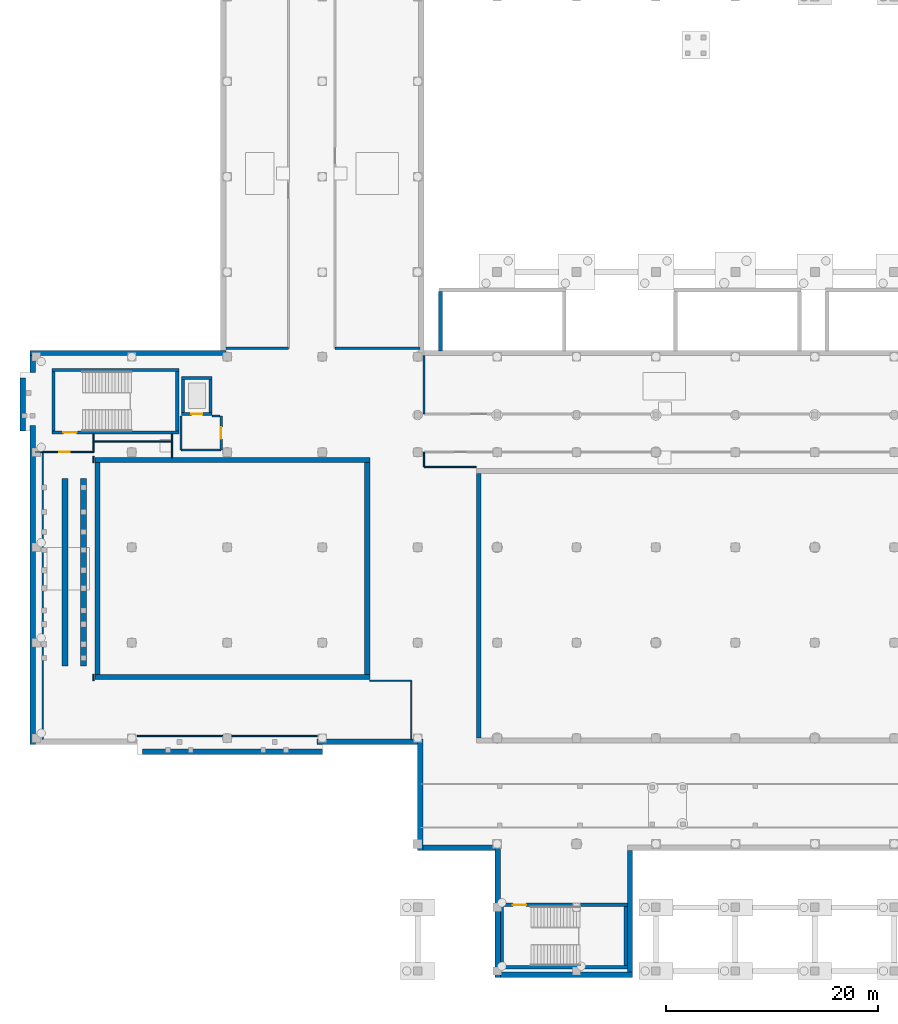
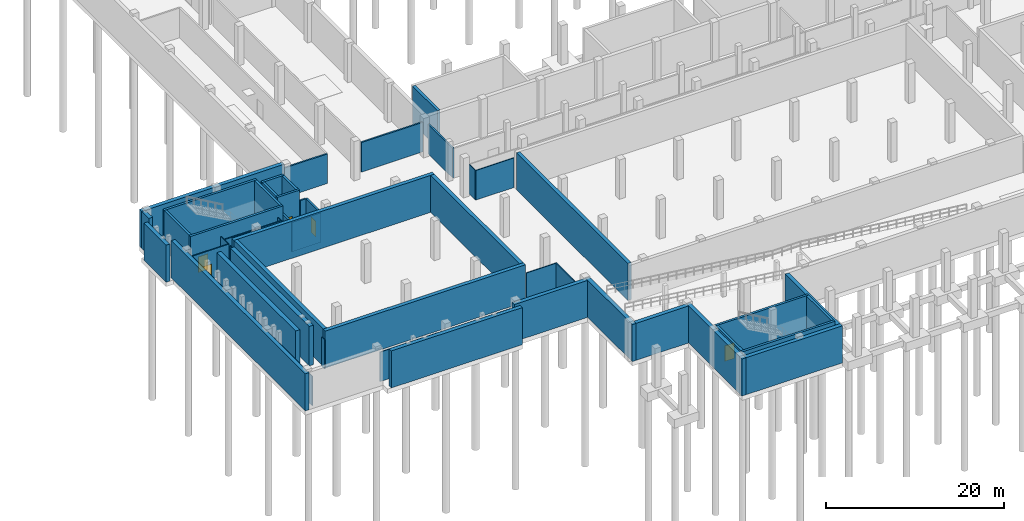
# One storey, part 8 of 19: 50 walls, 5 doors, 5 openings.
"""IFC4 building model written with IfcOpenShell, lengths in metres."""

from ifc_helpers import new_model, si_unit, direction, frame, frame_2d, origin, place, context, subcontext, project, spatial, rectangle, extrude, material, layer, layer_set, type_object, element, fill, save


model = new_model("IFC4")

# Units and contexts
model_context = context("Model", 3, precision=1e-05, world=origin(), true_north=direction((0.0, 1.0)))
body_context = subcontext(model_context, "Body", "Model", "MODEL_VIEW")
ifc_project = project(units=[si_unit("LENGTHUNIT", "METRE"), si_unit("AREAUNIT", "SQUARE_METRE"), si_unit("VOLUMEUNIT", "CUBIC_METRE"), si_unit("PLANEANGLEUNIT", "RADIAN"), si_unit("MASSUNIT", "GRAM", prefix="KILO")], contexts=[model_context])

# Site, building, storey
site_placement = place(None, origin())
site = spatial("IfcSite", under=ifc_project, at=site_placement, CompositionType="ELEMENT")
building_placement = place(site_placement, origin())
building = spatial("IfcBuilding", under=site, at=building_placement, Name="Vourika Railside Aquatics Centre", CompositionType="ELEMENT")
storey_placement = place(building_placement, frame((0.0, 0.0, -5.39990234375)))
storey = spatial("IfcBuildingStorey", under=building, at=storey_placement, Name="B1", CompositionType="ELEMENT", Elevation=-5.39990234375)

# Wall, opening, door
ifc_material_1 = material(Name="Concrete C40/50", Category="concrete")
ifc_layer_1 = layer(ifc_material_1, 0.300048828125, Name="WL-CORE")
ifc_layer_set_1 = layer_set([ifc_layer_1], Name="Concrete C40/50")
wall_type_1 = type_object("IfcWallType", Name="WL-CORE", PredefinedType="SHEAR", material=ifc_layer_set_1)
wall_1_placement = place(storey_placement, frame((1.449951171875, 50.85009765625, 0.0), z_axis=(0.0, 0.0, 1.0), x_axis=(1.0, 0.0, 0.0)))
wall_1 = element("IfcWall", 1, at=wall_1_placement, inside=storey, type_object=wall_type_1, Name="Protected Exit Stair Core ST04 South Wall (B1)", PredefinedType="SHEAR", context=body_context, shape_type="SweptSolid", body=[
    extrude(rectangle(XDim=12.0, YDim=0.300048828125, at=frame_2d((6.0, 0.0))), origin(), (0.0, 0.0, 1.0), 5.39990234375),
])
opening_1_placement = place(wall_1_placement, frame((1.10009765625, 0.0, 0.0)))
opening_1 = element("IfcOpeningElement", 2, at=opening_1_placement, cuts=wall_1, Name="Opening DF02", PredefinedType="OPENING", context=body_context, shape_type="SweptSolid", body=[
    extrude(rectangle(XDim=1.25, YDim=2.14990234375, at=frame_2d((0.625, 1.074951171875))), frame((0.0, 0.16015625, 0.0), z_axis=(0.0, -1.0, 0.0), x_axis=(1.0, 0.0, 0.0)), (0.0, 0.0, 1.0), 0.320068359375),
])
ifc_material_2 = material(Name="Fire-rated wide exit stair door")
door_type_1 = type_object("IfcDoorType", Name="DR-FD60-125", OperationType="NOTDEFINED", PredefinedType="DOOR", material=ifc_material_2)
door_1_placement = place(opening_1_placement, origin())
door_1 = element("IfcDoor", 3, at=door_1_placement, inside=storey, type_object=door_type_1, Name="Protected Exit Stair Core ST04 Enclosure Fire Door (B1)", OperationType="SINGLE_SWING_LEFT", OverallHeight=2.14990234375, OverallWidth=1.25, PredefinedType="DOOR", context=body_context, shape_type="SweptSolid", body=[
    extrude(rectangle(XDim=1.25, YDim=2.14990234375, at=frame_2d((0.625, 1.074951171875))), frame((0.0, 0.02490234375, 0.0), z_axis=(0.0, -1.0, 0.0), x_axis=(1.0, 0.0, 0.0)), (0.0, 0.0, 1.0), 0.050048828125),
])
fill(opening_1, door_1)

# Walls
wall_2_placement = place(storey_placement, frame((13.449951171875, 56.75, 0.0), z_axis=(0.0, 0.0, 1.0), x_axis=(-1.0, 0.0, 0.0)))
element("IfcWall", 4, at=wall_2_placement, inside=storey, type_object=wall_type_1, Name="Protected Exit Stair Core ST04 North Wall (B1)", PredefinedType="SHEAR", context=body_context, shape_type="SweptSolid", body=[
    extrude(rectangle(XDim=12.0, YDim=0.300048828125, at=frame_2d((6.0, 0.0))), origin(), (0.0, 0.0, 1.0), 5.39990234375),
])
for number, where, z_axis, x_axis, name in (
    (5, (1.60009765625, 56.60009765625, 0.0), (0.0, 0.0, 1.0), (0.0, -1.0, 0.0), "Protected Exit Stair Core ST04 West Wall (B1)"),
    (6, (13.300048828125, 51.0, 0.0), (0.0, 0.0, 1.0), (0.0, 1.0, 0.0), "Protected Exit Stair Core ST04 East Wall (B1)"),
):
    element("IfcWall", number, at=place(storey_placement, frame(where, z_axis=z_axis, x_axis=x_axis)), inside=storey, type_object=wall_type_1, Name=name, PredefinedType="SHEAR", context=body_context, shape_type="SweptSolid", body=[
        extrude(rectangle(XDim=5.60009765625, YDim=0.300048828125, at=frame_2d((2.800048828125, 0.0))), origin(), (0.0, 0.0, 1.0), 5.39990234375),
    ])
wall_3_placement = place(storey_placement, frame((55.800048828125, 0.35009765625, 0.0), z_axis=(0.0, 0.0, 1.0), x_axis=(-1.0, 0.0, 0.0)))
element("IfcWall", 7, at=wall_3_placement, inside=storey, type_object=wall_type_1, Name="Protected Exit Stair Core ST11 South Wall (B1)", PredefinedType="SHEAR", context=body_context, shape_type="SweptSolid", body=[
    extrude(rectangle(XDim=12.0, YDim=0.300048828125, at=frame_2d((6.0, 0.0))), origin(), (0.0, 0.0, 1.0), 5.39990234375),
])

# Wall, opening, door
wall_4_placement = place(storey_placement, frame((55.800048828125, 6.25, 0.0), z_axis=(0.0, 0.0, 1.0), x_axis=(-1.0, 0.0, 0.0)))
wall_4 = element("IfcWall", 8, at=wall_4_placement, inside=storey, type_object=wall_type_1, Name="Protected Exit Stair Core ST11 North Wall (B1)", PredefinedType="SHEAR", context=body_context, shape_type="SweptSolid", body=[
    extrude(rectangle(XDim=12.0, YDim=0.300048828125, at=frame_2d((6.0, 0.0))), origin(), (0.0, 0.0, 1.0), 5.39990234375),
])
opening_2_placement = place(wall_4_placement, frame((9.550048828125, 0.0, 0.0)))
opening_2 = element("IfcOpeningElement", 9, at=opening_2_placement, cuts=wall_4, Name="Opening DF02", PredefinedType="OPENING", context=body_context, shape_type="SweptSolid", body=[
    extrude(rectangle(XDim=1.25, YDim=2.14990234375, at=frame_2d((0.625, 1.074951171875))), frame((0.0, 0.16015625, 0.0), z_axis=(0.0, -1.0, 0.0), x_axis=(1.0, 0.0, 0.0)), (0.0, 0.0, 1.0), 0.320068359375),
])
door_2_placement = place(opening_2_placement, origin())
door_2 = element("IfcDoor", 10, at=door_2_placement, inside=storey, type_object=door_type_1, Name="Protected Exit Stair Core ST11 Enclosure Fire Door (B1)", OperationType="SINGLE_SWING_RIGHT", OverallHeight=2.14990234375, OverallWidth=1.25, PredefinedType="DOOR", context=body_context, shape_type="SweptSolid", body=[
    extrude(rectangle(XDim=1.25, YDim=2.14990234375, at=frame_2d((0.625, 1.074951171875))), frame((0.0, 0.02490234375, 0.0), z_axis=(0.0, -1.0, 0.0), x_axis=(1.0, 0.0, 0.0)), (0.0, 0.0, 1.0), 0.050048828125),
])
fill(opening_2, door_2)

# Walls
for number, where, z_axis, x_axis, name in (
    (11, (43.949951171875, 6.10009765625, 0.0), (0.0, 0.0, 1.0), (0.0, -1.0, 0.0), "Protected Exit Stair Core ST11 West Wall (B1)"),
    (12, (55.64990234375, 0.5, 0.0), (0.0, 0.0, 1.0), (0.0, 1.0, 0.0), "Protected Exit Stair Core ST11 East Wall (B1)"),
):
    element("IfcWall", number, at=place(storey_placement, frame(where, z_axis=z_axis, x_axis=x_axis)), inside=storey, type_object=wall_type_1, Name=name, PredefinedType="SHEAR", context=body_context, shape_type="SweptSolid", body=[
        extrude(rectangle(XDim=5.60009765625, YDim=0.300048828125, at=frame_2d((2.800048828125, 0.0))), origin(), (0.0, 0.0, 1.0), 5.39990234375),
    ])

# Wall, opening, door
wall_5_placement = place(storey_placement, frame((13.699951171875, 52.60009765625, 0.0), z_axis=(0.0, 0.0, 1.0), x_axis=(1.0, 0.0, 0.0)))
wall_5 = element("IfcWall", 13, at=wall_5_placement, inside=storey, type_object=wall_type_1, Name="Lift LP02 Shaft South Wall (B1)", PredefinedType="SHEAR", context=body_context, shape_type="SweptSolid", body=[
    extrude(rectangle(XDim=2.900146484375, YDim=0.300048828125, at=frame_2d((1.4501953125, 0.0))), origin(), (0.0, 0.0, 1.0), 5.39990234375),
])
opening_3_placement = place(wall_5_placement, frame((0.925048828125, 0.0, 0.0)))
opening_3 = element("IfcOpeningElement", 14, at=opening_3_placement, cuts=wall_5, Name="Opening LD02", PredefinedType="OPENING", context=body_context, shape_type="SweptSolid", body=[
    extrude(rectangle(XDim=1.050048828125, YDim=2.14990234375, at=frame_2d((0.52490234375, 1.074951171875))), frame((0.0, 0.16015625, 0.0), z_axis=(0.0, -1.0, 0.0), x_axis=(1.0, 0.0, 0.0)), (0.0, 0.0, 1.0), 0.320068359375),
])
ifc_material_3 = material(Name="Stainless passenger lift landing door")
door_type_2 = type_object("IfcDoorType", Name="DR-LIFT-LD2", OperationType="DOUBLE_DOOR_SLIDING", PredefinedType="DOOR", material=ifc_material_3)
door_3_placement = place(opening_3_placement, origin())
door_3 = element("IfcDoor", 15, at=door_3_placement, inside=storey, type_object=door_type_2, Name="Lift LP02 Sliding Landing Door (B1)", OperationType="DOUBLE_DOOR_SLIDING", OverallHeight=2.14990234375, OverallWidth=1.050048828125, PredefinedType="DOOR", context=body_context, shape_type="SweptSolid", body=[
    extrude(rectangle(XDim=1.050048828125, YDim=2.14990234375, at=frame_2d((0.52490234375, 1.074951171875))), frame((0.0, 0.02490234375, 0.0), z_axis=(0.0, -1.0, 0.0), x_axis=(1.0, 0.0, 0.0)), (0.0, 0.0, 1.0), 0.050048828125),
])
fill(opening_3, door_3)

# Walls
wall_6_placement = place(storey_placement, frame((16.60009765625, 56.0, 0.0), z_axis=(0.0, 0.0, 1.0), x_axis=(-1.0, 0.0, 0.0)))
element("IfcWall", 16, at=wall_6_placement, inside=storey, type_object=wall_type_1, Name="Lift LP02 Shaft North Wall (B1)", PredefinedType="SHEAR", context=body_context, shape_type="SweptSolid", body=[
    extrude(rectangle(XDim=2.900146484375, YDim=0.300048828125, at=frame_2d((1.4501953125, 0.0))), origin(), (0.0, 0.0, 1.0), 5.39990234375),
])
for number, where, z_axis, x_axis, name in (
    (17, (13.85009765625, 56.0, 0.0), (0.0, 0.0, 1.0), (0.0, -1.0, 0.0), "Lift LP02 Shaft West Wall (B1)"),
    (18, (16.449951171875, 52.60009765625, 0.0), (0.0, 0.0, 1.0), (0.0, 1.0, 0.0), "Lift LP02 Shaft East Wall (B1)"),
):
    element("IfcWall", number, at=place(storey_placement, frame(where, z_axis=z_axis, x_axis=x_axis)), inside=storey, type_object=wall_type_1, Name=name, PredefinedType="SHEAR", context=body_context, shape_type="SweptSolid", body=[
        extrude(rectangle(XDim=3.39990234375, YDim=0.300048828125, at=frame_2d((1.699951171875, 0.0))), origin(), (0.0, 0.0, 1.0), 5.39990234375),
    ])
ifc_layer_2 = layer(ifc_material_1, 0.550048828125, Name="WL-DIVE-550")
ifc_layer_set_2 = layer_set([ifc_layer_2], Name="Concrete C40/50")
wall_type_2 = type_object("IfcWallType", Name="WL-DIVE-550", PredefinedType="SOLIDWALL", material=ifc_layer_set_2)
for number, where, z_axis, x_axis, name in (
    (19, (2.699951171875, 28.800048828125, 0.0), (0.0, 0.0, 1.0), (0.0, 1.0, 0.0), "Sculpted Diving Tower Spine Wall W (B1)"),
    (20, (4.449951171875, 28.800048828125, 0.0), (0.0, 0.0, 1.0), (0.0, 1.0, 0.0), "Sculpted Diving Tower Spine Wall E (B1)"),
):
    element("IfcWall", number, at=place(storey_placement, frame(where, z_axis=z_axis, x_axis=x_axis)), inside=storey, type_object=wall_type_2, Name=name, PredefinedType="SOLIDWALL", context=body_context, shape_type="SweptSolid", body=[
        extrude(rectangle(XDim=17.699951171875, YDim=0.550048828125, at=frame_2d((8.85009765625, 0.0))), origin(), (0.0, 0.0, 1.0), 5.39990234375),
    ])
ifc_material_4 = material(Name="Concrete C35/45", Category="concrete")
ifc_layer_3 = layer(ifc_material_4, 0.219970703125, Name="WL-FIRE")
ifc_layer_set_3 = layer_set([ifc_layer_3], Name="Concrete C35/45")
wall_type_3 = type_object("IfcWallType", Name="WL-FIRE", PredefinedType="SOLIDWALL", material=ifc_layer_set_3)
wall_7_placement = place(storey_placement, frame((13.64990234375, 49.199951171875, 0.0), z_axis=(0.0, 0.0, 1.0), x_axis=(1.0, 0.0, 0.0)))
element("IfcWall", 21, at=wall_7_placement, inside=storey, type_object=wall_type_3, Name="Lift LP02 Lobby Corridor Fire Wall (B1)", PredefinedType="SOLIDWALL", context=body_context, shape_type="SweptSolid", body=[
    extrude(rectangle(XDim=3.800048828125, YDim=0.219970703125, at=frame_2d((1.89990234375, 0.0))), origin(), (0.0, 0.0, 1.0), 4.0498046875),
])
wall_8_placement = place(storey_placement, frame((13.64990234375, 49.199951171875, 0.0), z_axis=(0.0, 0.0, 1.0), x_axis=(0.0, 1.0, 0.0)))
element("IfcWall", 22, at=wall_8_placement, inside=storey, type_object=wall_type_3, Name="Lift LP02 Lobby West Fire Wall (B1)", PredefinedType="SOLIDWALL", context=body_context, shape_type="SweptSolid", body=[
    extrude(rectangle(XDim=3.199951171875, YDim=0.219970703125, at=frame_2d((1.60009765625, 0.0))), origin(), (0.0, 0.0, 1.0), 4.0498046875),
])

# Wall, opening, door
wall_9_placement = place(storey_placement, frame((17.449951171875, 49.199951171875, 0.0), z_axis=(0.0, 0.0, 1.0), x_axis=(0.0, 1.0, 0.0)))
wall_9 = element("IfcWall", 23, at=wall_9_placement, inside=storey, type_object=wall_type_3, Name="Lift LP02 Lobby East Fire Wall (B1)", PredefinedType="SOLIDWALL", context=body_context, shape_type="SweptSolid", body=[
    extrude(rectangle(XDim=3.199951171875, YDim=0.219970703125, at=frame_2d((1.60009765625, 0.0))), origin(), (0.0, 0.0, 1.0), 4.0498046875),
])
opening_4_placement = place(wall_9_placement, frame((1.050048828125, 0.0, 0.0)))
opening_4 = element("IfcOpeningElement", 24, at=opening_4_placement, cuts=wall_9, Name="Opening DF01", PredefinedType="OPENING", context=body_context, shape_type="SweptSolid", body=[
    extrude(rectangle(XDim=1.10009765625, YDim=2.14990234375, at=frame_2d((0.550048828125, 1.074951171875))), frame((0.0, 0.1201171875, 0.0), z_axis=(0.0, -1.0, 0.0), x_axis=(1.0, 0.0, 0.0)), (0.0, 0.0, 1.0), 0.239990234375),
])
ifc_material_5 = material(Name="Fire-rated steel and timber core door", Category="steel")
door_type_3 = type_object("IfcDoorType", Name="DR-FD60", OperationType="NOTDEFINED", PredefinedType="DOOR", material=ifc_material_5)
door_4_placement = place(opening_4_placement, origin())
door_4 = element("IfcDoor", 25, at=door_4_placement, inside=storey, type_object=door_type_3, Name="Lift LP02 Lobby Fire Door (B1)", OperationType="SINGLE_SWING_RIGHT", OverallHeight=2.14990234375, OverallWidth=1.10009765625, PredefinedType="DOOR", context=body_context, shape_type="SweptSolid", body=[
    extrude(rectangle(XDim=1.10009765625, YDim=2.14990234375, at=frame_2d((0.550048828125, 1.074951171875))), frame((0.0, 0.02490234375, 0.0), z_axis=(0.0, -1.0, 0.0), x_axis=(1.0, 0.0, 0.0)), (0.0, 0.0, 1.0), 0.050048828125),
])
fill(opening_4, door_4)

# Walls
wall_10_placement = place(storey_placement, frame((16.60009765625, 52.39990234375, 0.0), z_axis=(0.0, 0.0, 1.0), x_axis=(1.0, 0.0, 0.0)))
element("IfcWall", 26, at=wall_10_placement, inside=storey, type_object=wall_type_3, Name="Lift LP02 Lobby North-East Closure Wall (B1)", PredefinedType="SOLIDWALL", context=body_context, shape_type="SweptSolid", body=[
    extrude(rectangle(XDim=0.72998046875, YDim=0.219970703125, at=frame_2d((0.364990234375, 0.0))), origin(), (0.0, 0.0, 1.0), 4.0498046875),
])
ifc_material_6 = material(Name="Lightweight drylining partition")
ifc_layer_4 = layer(ifc_material_6, 0.1201171875, Name="WL-PART-120")
ifc_layer_set_4 = layer_set([ifc_layer_4], Name="Lightweight drylining partition")
wall_type_4 = type_object("IfcWallType", Name="WL-PART-120", PredefinedType="PARTITIONING", material=ifc_layer_set_4)
wall_11_placement = place(storey_placement, frame((36.60009765625, 47.60009765625, 0.0), z_axis=(0.0, 0.0, 1.0), x_axis=(0.0, 1.0, 0.0)))
element("IfcWall", 27, at=wall_11_placement, inside=storey, type_object=wall_type_4, Name="Competition Pool Sand and Ultrafiltration Hall Partition 2", PredefinedType="PARTITIONING", context=body_context, shape_type="SweptSolid", body=[
    extrude(rectangle(XDim=1.39990234375, YDim=0.1201171875, at=frame_2d((0.699951171875, 0.0))), origin(), (0.0, 0.0, 1.0), 4.0498046875),
])
wall_12_placement = place(storey_placement, frame((41.550048828125, 47.60009765625, 0.0), z_axis=(0.0, 0.0, 1.0), x_axis=(-1.0, 0.0, 0.0)))
element("IfcWall", 28, at=wall_12_placement, inside=storey, type_object=wall_type_4, Name="Competition Pool Sand and Ultrafiltration Hall Partition 4", PredefinedType="PARTITIONING", context=body_context, shape_type="SweptSolid", body=[
    extrude(rectangle(XDim=4.949951171875, YDim=0.1201171875, at=frame_2d((2.47509765625, 0.0))), origin(), (0.0, 0.0, 1.0), 4.0498046875),
])
wall_13_placement = place(storey_placement, frame((12.800048828125, 50.719970703125, 0.0), z_axis=(0.0, 0.0, 1.0), x_axis=(0.0, -1.0, 0.0)))
element("IfcWall", 29, at=wall_13_placement, inside=storey, type_object=wall_type_4, Name="Diving Well Filtration and Balance Tank Hall Partition 1", PredefinedType="PARTITIONING", context=body_context, shape_type="SweptSolid", body=[
    extrude(rectangle(XDim=2.260009765625, YDim=0.1201171875, at=frame_2d((1.1298828125, 0.0))), origin(), (0.0, 0.0, 1.0), 4.0498046875),
])
wall_14_placement = place(storey_placement, frame((5.39990234375, 50.0, 0.0), z_axis=(0.0, 0.0, 1.0), x_axis=(1.0, 0.0, 0.0)))
element("IfcWall", 30, at=wall_14_placement, inside=storey, type_object=wall_type_4, Name="Diving Well Filtration and Balance Tank Hall Partition 2", PredefinedType="PARTITIONING", context=body_context, shape_type="SweptSolid", body=[
    extrude(rectangle(XDim=7.400146484375, YDim=0.1201171875, at=frame_2d((3.7001953125, 0.0))), origin(), (0.0, 0.0, 1.0), 4.0498046875),
])
wall_15_placement = place(storey_placement, frame((5.39990234375, 49.0, 0.0), z_axis=(0.0, 0.0, 1.0), x_axis=(0.0, 1.0, 0.0)))
element("IfcWall", 31, at=wall_15_placement, inside=storey, type_object=wall_type_4, Name="Diving Well Filtration and Balance Tank Hall Partition 3", PredefinedType="PARTITIONING", context=body_context, shape_type="SweptSolid", body=[
    extrude(rectangle(XDim=1.719970703125, YDim=0.1201171875, at=frame_2d((0.85986328125, 0.0))), origin(), (0.0, 0.0, 1.0), 4.0498046875),
])
wall_16_placement = place(storey_placement, frame((5.39990234375, 48.60009765625, 0.0), z_axis=(0.0, 0.0, 1.0), x_axis=(0.0, -1.0, 0.0)))
element("IfcWall", 32, at=wall_16_placement, inside=storey, type_object=wall_type_4, Name="Diving Well Filtration and Balance Tank Hall Partition 4", PredefinedType="PARTITIONING", context=body_context, shape_type="SweptSolid", body=[
    extrude(rectangle(XDim=0.60009765625, YDim=0.1201171875, at=frame_2d((0.300048828125, 0.0))), origin(), (0.0, 0.0, 1.0), 4.0498046875),
])

# Wall, opening, door
wall_17_placement = place(storey_placement, frame((-0.1201171875, 49.0, 0.0), z_axis=(0.0, 0.0, 1.0), x_axis=(1.0, 0.0, 0.0)))
wall_17 = element("IfcWall", 33, at=wall_17_placement, inside=storey, type_object=wall_type_4, Name="Diving Well Filtration and Balance Tank Hall Partition 5", PredefinedType="PARTITIONING", context=body_context, shape_type="SweptSolid", body=[
    extrude(rectangle(XDim=5.52001953125, YDim=0.1201171875, at=frame_2d((2.760009765625, 0.0))), origin(), (0.0, 0.0, 1.0), 4.0498046875),
])
opening_5_placement = place(wall_17_placement, frame((2.260009765625, 0.0, 0.0)))
opening_5 = element("IfcOpeningElement", 34, at=opening_5_placement, cuts=wall_17, Name="Opening DI01", PredefinedType="OPENING", context=body_context, shape_type="SweptSolid", body=[
    extrude(rectangle(XDim=1.0, YDim=2.10009765625, at=frame_2d((0.5, 1.050048828125))), frame((0.0, 0.070068359375, 0.0), z_axis=(0.0, -1.0, 0.0), x_axis=(1.0, 0.0, 0.0)), (0.0, 0.0, 1.0), 0.14013671875),
])
ifc_material_7 = material(Name="Anodized aluminium and laminate door", Category="aluminium")
door_type_4 = type_object("IfcDoorType", Name="DR-INT-1000", OperationType="NOTDEFINED", PredefinedType="DOOR", material=ifc_material_7)
door_5_placement = place(opening_5_placement, origin())
door_5 = element("IfcDoor", 35, at=door_5_placement, inside=storey, type_object=door_type_4, Name="Diving Well Filtration and Balance Tank Hall Door", OperationType="SINGLE_SWING_RIGHT", OverallHeight=2.10009765625, OverallWidth=1.0, PredefinedType="DOOR", context=body_context, shape_type="SweptSolid", body=[
    extrude(rectangle(XDim=1.0, YDim=2.10009765625, at=frame_2d((0.5, 1.050048828125))), frame((0.0, 0.02490234375, 0.0), z_axis=(0.0, -1.0, 0.0), x_axis=(1.0, 0.0, 0.0)), (0.0, 0.0, 1.0), 0.050048828125),
])
fill(opening_5, door_5)

# Walls
wall_18_placement = place(storey_placement, frame((0.60009765625, 21.8798828125, 0.0), z_axis=(0.0, 0.0, 1.0), x_axis=(0.0, 1.0, 0.0)))
element("IfcWall", 36, at=wall_18_placement, inside=storey, type_object=wall_type_4, Name="Diving Well Filtration and Balance Tank Hall Partition 6", PredefinedType="PARTITIONING", context=body_context, shape_type="SweptSolid", body=[
    extrude(rectangle(XDim=27.1201171875, YDim=0.1201171875, at=frame_2d((13.56005859375, 0.0))), origin(), (0.0, 0.0, 1.0), 4.0498046875),
])
wall_19_placement = place(storey_placement, frame((31.47998046875, 27.39990234375, 0.0), z_axis=(0.0, 0.0, 1.0), x_axis=(1.0, 0.0, 0.0)))
element("IfcWall", 37, at=wall_19_placement, inside=storey, type_object=wall_type_4, Name="Diving Well Filtration and Balance Tank Hall Partition 7", PredefinedType="PARTITIONING", context=body_context, shape_type="SweptSolid", body=[
    extrude(rectangle(XDim=3.919921875, YDim=0.1201171875, at=frame_2d((1.9599609375, 0.0))), origin(), (0.0, 0.0, 1.0), 4.0498046875),
])
wall_20_placement = place(storey_placement, frame((5.39990234375, 28.0, 0.0), z_axis=(0.0, 0.0, 1.0), x_axis=(0.0, -1.0, 0.0)))
element("IfcWall", 38, at=wall_20_placement, inside=storey, type_object=wall_type_4, Name="Diving Well Filtration and Balance Tank Hall Partition 8", PredefinedType="PARTITIONING", context=body_context, shape_type="SweptSolid", body=[
    extrude(rectangle(XDim=0.60009765625, YDim=0.1201171875, at=frame_2d((0.300048828125, 0.0))), origin(), (0.0, 0.0, 1.0), 4.0498046875),
])
wall_21_placement = place(storey_placement, frame((35.39990234375, 27.39990234375, 0.0), z_axis=(0.0, 0.0, 1.0), x_axis=(0.0, -1.0, 0.0)))
element("IfcWall", 39, at=wall_21_placement, inside=storey, type_object=wall_type_4, Name="Diving Well Filtration and Balance Tank Hall Partition 9", PredefinedType="PARTITIONING", context=body_context, shape_type="SweptSolid", body=[
    extrude(rectangle(XDim=5.5, YDim=0.1201171875, at=frame_2d((2.75, 0.0))), origin(), (0.0, 0.0, 1.0), 4.0498046875),
])
wall_22_placement = place(storey_placement, frame((26.5, 22.199951171875, 0.0), z_axis=(0.0, 0.0, 1.0), x_axis=(-1.0, 0.0, 0.0)))
element("IfcWall", 40, at=wall_22_placement, inside=storey, type_object=wall_type_4, Name="Diving Well Filtration and Balance Tank Hall Partition 10", PredefinedType="PARTITIONING", context=body_context, shape_type="SweptSolid", body=[
    extrude(rectangle(XDim=17.0, YDim=0.1201171875, at=frame_2d((8.5, 0.0))), origin(), (0.0, 0.0, 1.0), 4.0498046875),
])
ifc_material_8 = material(Name="Acoustic masonry blockwork", Category="masonry")
ifc_layer_5 = layer(ifc_material_8, 0.199951171875, Name="WL-PART-200")
ifc_layer_set_5 = layer_set([ifc_layer_5], Name="Acoustic masonry blockwork")
wall_type_5 = type_object("IfcWallType", Name="WL-PART-200", PredefinedType="PARTITIONING", material=ifc_layer_set_5)
wall_23_placement = place(storey_placement, frame((36.60009765625, 52.60009765625, 0.0), z_axis=(0.0, 0.0, 1.0), x_axis=(0.0, 1.0, 0.0)))
element("IfcWall", 41, at=wall_23_placement, inside=storey, type_object=wall_type_5, Name="Natatorium Dehumidification AHU Plant West Partition 2", PredefinedType="PARTITIONING", context=body_context, shape_type="SweptSolid", body=[
    extrude(rectangle(XDim=5.5, YDim=0.199951171875, at=frame_2d((2.75, 0.0))), origin(), (0.0, 0.0, 1.0), 4.0498046875),
])
wall_24_placement = place(storey_placement, frame((23.800048828125, 58.800048828125, 0.0), z_axis=(0.0, 0.0, 1.0), x_axis=(-1.0, 0.0, 0.0)))
element("IfcWall", 42, at=wall_24_placement, inside=storey, type_object=wall_type_5, Name="Heat Pump and Geothermal Recovery Plant Partition 2", PredefinedType="PARTITIONING", context=body_context, shape_type="SweptSolid", body=[
    extrude(rectangle(XDim=5.900146484375, YDim=0.199951171875, at=frame_2d((2.9501953125, 0.0))), origin(), (0.0, 0.0, 1.0), 4.0498046875),
])
wall_25_placement = place(storey_placement, frame((36.199951171875, 58.800048828125, 0.0), z_axis=(0.0, 0.0, 1.0), x_axis=(-1.0, 0.0, 0.0)))
element("IfcWall", 43, at=wall_25_placement, inside=storey, type_object=wall_type_5, Name="District Chiller and Condenser Recovery Hall Partition 3", PredefinedType="PARTITIONING", context=body_context, shape_type="SweptSolid", body=[
    extrude(rectangle(XDim=8.0, YDim=0.199951171875, at=frame_2d((4.0, 0.0))), origin(), (0.0, 0.0, 1.0), 4.0498046875),
])
ifc_layer_6 = layer(ifc_material_1, 0.5, Name="WL-RET-500")
ifc_layer_set_6 = layer_set([ifc_layer_6], Name="Concrete C40/50")
wall_type_6 = type_object("IfcWallType", Name="WL-RET-500", PredefinedType="USERDEFINED", material=ifc_layer_set_6)
wall_26_placement = place(storey_placement, frame((36.25, 11.39990234375, 0.0), z_axis=(0.0, 0.0, 1.0), x_axis=(0.0, 1.0, 0.0)))
element("IfcWall", 44, at=wall_26_placement, inside=storey, type_object=wall_type_6, Name="Basement Retaining Wall RW-01", ObjectType="RETAININGWALL", PredefinedType="USERDEFINED", context=body_context, shape_type="SweptSolid", body=[
    extrude(rectangle(XDim=10.5, YDim=0.5, at=frame_2d((5.25, 0.0))), origin(), (0.0, 0.0, 1.0), 5.079833984375),
])
wall_27_placement = place(storey_placement, frame((36.0, 21.64990234375, 0.0), z_axis=(0.0, 0.0, 1.0), x_axis=(-1.0, 0.0, 0.0)))
element("IfcWall", 45, at=wall_27_placement, inside=storey, type_object=wall_type_6, Name="Basement Retaining Wall RW-02", ObjectType="RETAININGWALL", PredefinedType="USERDEFINED", context=body_context, shape_type="SweptSolid", body=[
    extrude(rectangle(XDim=9.5, YDim=0.5, at=frame_2d((4.75, 0.0))), origin(), (0.0, 0.0, 1.0), 5.079833984375),
])
wall_28_placement = place(storey_placement, frame((27.0, 20.699951171875, 0.0), z_axis=(0.0, 0.0, 1.0), x_axis=(-1.0, 0.0, 0.0)))
element("IfcWall", 46, at=wall_28_placement, inside=storey, type_object=wall_type_6, Name="Basement Retaining Wall RW-03", ObjectType="RETAININGWALL", PredefinedType="USERDEFINED", context=body_context, shape_type="SweptSolid", body=[
    extrude(rectangle(XDim=17.0, YDim=0.5, at=frame_2d((8.5, 0.0))), origin(), (0.0, 0.0, 1.0), 5.079833984375),
])
wall_29_placement = place(storey_placement, frame((-0.35009765625, 21.39990234375, 0.0), z_axis=(0.0, 0.0, 1.0), x_axis=(0.0, 1.0, 0.0)))
element("IfcWall", 47, at=wall_29_placement, inside=storey, type_object=wall_type_6, Name="Basement Retaining Wall RW-05", ObjectType="RETAININGWALL", PredefinedType="USERDEFINED", context=body_context, shape_type="SweptSolid", body=[
    extrude(rectangle(XDim=30.10009765625, YDim=0.5, at=frame_2d((15.050048828125, 0.0))), origin(), (0.0, 0.0, 1.0), 5.079833984375),
])
wall_30_placement = place(storey_placement, frame((-1.300048828125, 51.0, 0.0), z_axis=(0.0, 0.0, 1.0), x_axis=(0.0, 1.0, 0.0)))
element("IfcWall", 48, at=wall_30_placement, inside=storey, type_object=wall_type_6, Name="Basement Retaining Wall RW-06", ObjectType="RETAININGWALL", PredefinedType="USERDEFINED", context=body_context, shape_type="SweptSolid", body=[
    extrude(rectangle(XDim=5.0, YDim=0.5, at=frame_2d((2.5, 0.0))), origin(), (0.0, 0.0, 1.0), 5.079833984375),
])
wall_31_placement = place(storey_placement, frame((-0.35009765625, 56.5, 0.0), z_axis=(0.0, 0.0, 1.0), x_axis=(0.0, 1.0, 0.0)))
element("IfcWall", 49, at=wall_31_placement, inside=storey, type_object=wall_type_6, Name="Basement Retaining Wall RW-07", ObjectType="RETAININGWALL", PredefinedType="USERDEFINED", context=body_context, shape_type="SweptSolid", body=[
    extrude(rectangle(XDim=1.60009765625, YDim=0.5, at=frame_2d((0.800048828125, 0.0))), origin(), (0.0, 0.0, 1.0), 5.079833984375),
])
wall_32_placement = place(storey_placement, frame((-0.60009765625, 58.35009765625, 0.0), z_axis=(0.0, 0.0, 1.0), x_axis=(1.0, 0.0, 0.0)))
element("IfcWall", 50, at=wall_32_placement, inside=storey, type_object=wall_type_6, Name="Basement Retaining Wall RW-08", ObjectType="RETAININGWALL", PredefinedType="USERDEFINED", context=body_context, shape_type="SweptSolid", body=[
    extrude(rectangle(XDim=18.5, YDim=0.5, at=frame_2d((9.25, 0.0))), origin(), (0.0, 0.0, 1.0), 5.079833984375),
])
wall_33_placement = place(storey_placement, frame((56.050048828125, 11.39990234375, 0.0), z_axis=(0.0, 0.0, 1.0), x_axis=(0.0, -1.0, 0.0)))
element("IfcWall", 51, at=wall_33_placement, inside=storey, type_object=wall_type_6, Name="Basement Retaining Wall RW-23", ObjectType="RETAININGWALL", PredefinedType="USERDEFINED", context=body_context, shape_type="SweptSolid", body=[
    extrude(rectangle(XDim=11.5, YDim=0.5, at=frame_2d((5.75, 0.0))), origin(), (0.0, 0.0, 1.0), 5.079833984375),
])
for number, where, z_axis, x_axis, name in (
    (52, (56.300048828125, -0.35009765625, 0.0), (0.0, 0.0, 1.0), (-1.0, 0.0, 0.0), "Basement Retaining Wall RW-24"),
    (53, (43.550048828125, -0.60009765625, 0.0), (0.0, 0.0, 1.0), (0.0, 1.0, 0.0), "Basement Retaining Wall RW-25"),
):
    element("IfcWall", number, at=place(storey_placement, frame(where, z_axis=z_axis, x_axis=x_axis)), inside=storey, type_object=wall_type_6, Name=name, ObjectType="RETAININGWALL", PredefinedType="USERDEFINED", context=body_context, shape_type="SweptSolid", body=[
        extrude(rectangle(XDim=12.5, YDim=0.5, at=frame_2d((6.25, 0.0))), origin(), (0.0, 0.0, 1.0), 5.079833984375),
    ])
wall_34_placement = place(storey_placement, frame((43.300048828125, 11.64990234375, 0.0), z_axis=(0.0, 0.0, 1.0), x_axis=(-1.0, 0.0, 0.0)))
element("IfcWall", 54, at=wall_34_placement, inside=storey, type_object=wall_type_6, Name="Basement Retaining Wall RW-26", ObjectType="RETAININGWALL", PredefinedType="USERDEFINED", context=body_context, shape_type="SweptSolid", body=[
    extrude(rectangle(XDim=6.800048828125, YDim=0.5, at=frame_2d((3.39990234375, 0.0))), origin(), (0.0, 0.0, 1.0), 5.079833984375),
])
ifc_layer_7 = layer(ifc_material_1, 0.35009765625, Name="WL-TANK-350")
ifc_layer_set_7 = layer_set([ifc_layer_7], Name="Concrete C40/50")
wall_type_7 = type_object("IfcWallType", Name="WL-TANK-350", PredefinedType="SOLIDWALL", material=ifc_layer_set_7)
wall_35_placement = place(storey_placement, frame((38.14990234375, 64.14990234375, 0.0), z_axis=(0.0, 0.0, 1.0), x_axis=(0.0, -1.0, 0.0)))
element("IfcWall", 55, at=wall_35_placement, inside=storey, type_object=wall_type_7, Name="Substructure Core Foundation Wall ST07-W", PredefinedType="SOLIDWALL", context=body_context, shape_type="SweptSolid", body=[
    extrude(rectangle(XDim=5.599853515625, YDim=0.35009765625, at=frame_2d((2.7998046875, 0.0))), origin(), (0.0, 0.0, 1.0), 5.079833984375),
])
ifc_layer_8 = layer(ifc_material_1, 0.449951171875, Name="WL-TANK-450")
ifc_layer_set_8 = layer_set([ifc_layer_8], Name="Concrete C40/50")
wall_type_8 = type_object("IfcWallType", Name="WL-TANK-450", PredefinedType="SOLIDWALL", material=ifc_layer_set_8)
wall_36_placement = place(storey_placement, frame((41.77490234375, 47.0, 0.0), z_axis=(0.0, 0.0, 1.0), x_axis=(0.0, -1.0, 0.0)))
element("IfcWall", 56, at=wall_36_placement, inside=storey, type_object=wall_type_8, Name="Competition Pool Tank Slab Wall W", PredefinedType="SOLIDWALL", context=body_context, shape_type="SweptSolid", body=[
    extrude(rectangle(XDim=25.0, YDim=0.449951171875, at=frame_2d((12.5, 0.0))), origin(), (0.0, 0.0, 1.0), 5.079833984375),
])
ifc_layer_9 = layer(ifc_material_1, 0.47998046875, Name="WL-TANK-480")
ifc_layer_set_9 = layer_set([ifc_layer_9], Name="Concrete C40/50")
wall_type_9 = type_object("IfcWallType", Name="WL-TANK-480", PredefinedType="SOLIDWALL", material=ifc_layer_set_9)
for number, where, z_axis, x_axis, name in (
    (57, (5.52001953125, 27.760009765625, 0.0), (0.0, 0.0, 1.0), (1.0, 0.0, 0.0), "Diving Pool Tank Slab Wall S"),
    (58, (31.47998046875, 48.239990234375, 0.0), (0.0, 0.0, 1.0), (-1.0, 0.0, 0.0), "Diving Pool Tank Slab Wall N"),
):
    element("IfcWall", number, at=place(storey_placement, frame(where, z_axis=z_axis, x_axis=x_axis)), inside=storey, type_object=wall_type_9, Name=name, PredefinedType="SOLIDWALL", context=body_context, shape_type="SweptSolid", body=[
        extrude(rectangle(XDim=25.9599609375, YDim=0.47998046875, at=frame_2d((12.97998046875, 0.0))), origin(), (0.0, 0.0, 1.0), 5.079833984375),
    ])
for number, where, z_axis, x_axis, name in (
    (59, (5.760009765625, 48.0, 0.0), (0.0, 0.0, 1.0), (0.0, -1.0, 0.0), "Diving Pool Tank Slab Wall W"),
    (60, (31.239990234375, 28.0, 0.0), (0.0, 0.0, 1.0), (0.0, 1.0, 0.0), "Diving Pool Tank Slab Wall E"),
):
    element("IfcWall", number, at=place(storey_placement, frame(where, z_axis=z_axis, x_axis=x_axis)), inside=storey, type_object=wall_type_9, Name=name, PredefinedType="SOLIDWALL", context=body_context, shape_type="SweptSolid", body=[
        extrude(rectangle(XDim=20.0, YDim=0.47998046875, at=frame_2d((10.0, 0.0))), origin(), (0.0, 0.0, 1.0), 5.079833984375),
    ])

save(model, "model.ifc")
